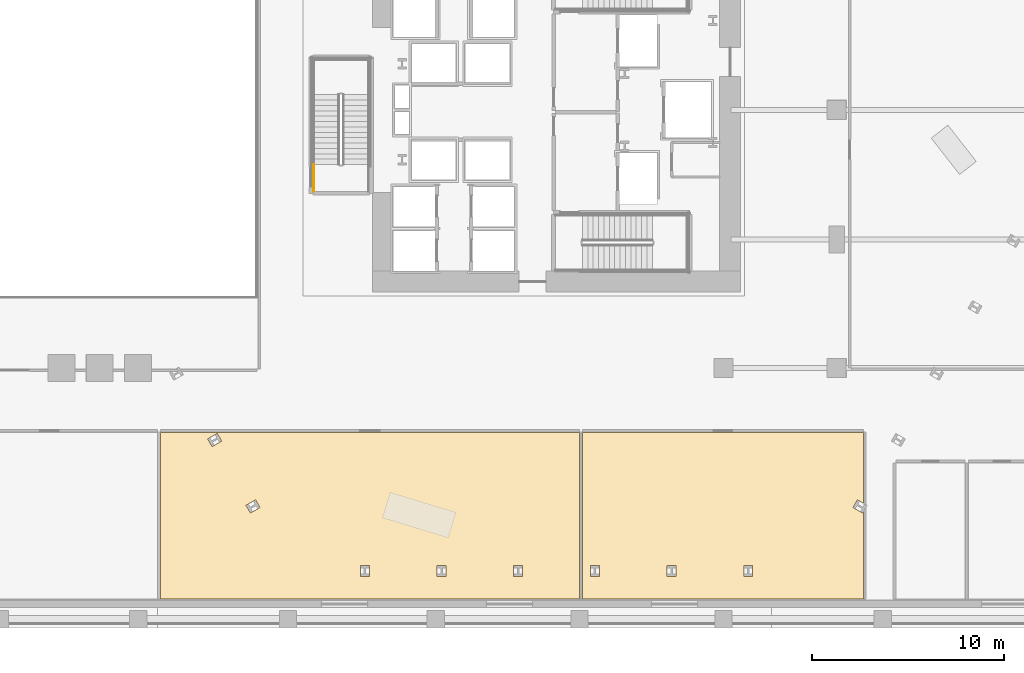
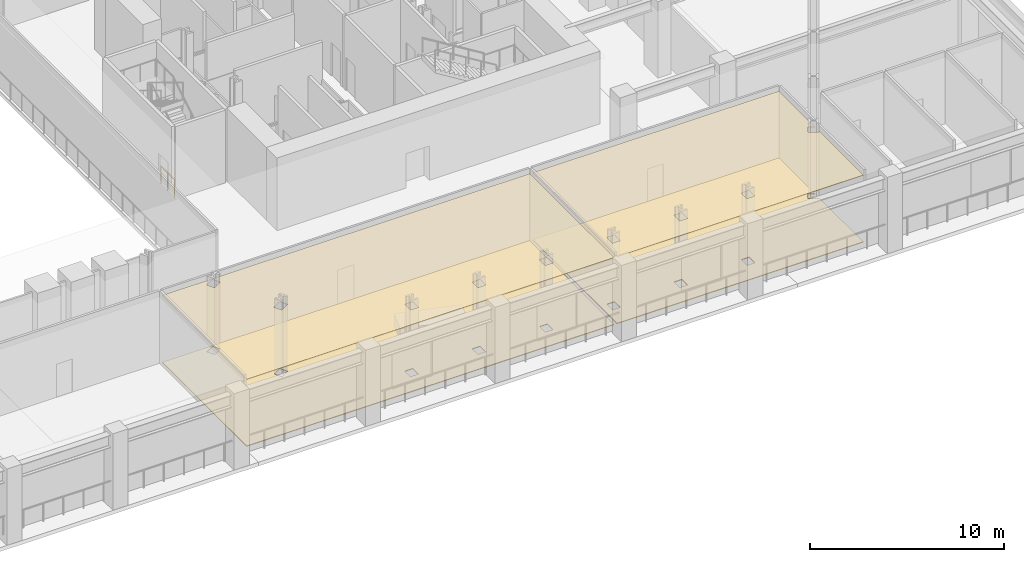
# One storey, part 11 of 19: 4 coverings, 1 railing.
"""IFC4 building model written with IfcOpenShell, lengths in metres."""

from ifc_helpers import new_model, si_unit, direction, frame, origin, origin_2d, place, context, subcontext, project, spatial, polyline, circle, outline, extrude, material, layer, layer_set, type_object, element, save


model = new_model("IFC4")

# Units and contexts
model_context = context("Model", 3, precision=1e-05, world=origin(), true_north=direction((0.0, 1.0)))
body_context = subcontext(model_context, "Body", "Model", "MODEL_VIEW")
ifc_project = project(units=[si_unit("LENGTHUNIT", "METRE"), si_unit("AREAUNIT", "SQUARE_METRE"), si_unit("VOLUMEUNIT", "CUBIC_METRE"), si_unit("PLANEANGLEUNIT", "RADIAN"), si_unit("MASSUNIT", "GRAM", prefix="KILO")], contexts=[model_context])

# Site, building, storey
site_placement = place(None, origin())
site = spatial("IfcSite", under=ifc_project, at=site_placement, CompositionType="ELEMENT")
building_placement = place(site_placement, origin())
building = spatial("IfcBuilding", under=site, at=building_placement, Name="Valkerne Bourse Tower", CompositionType="ELEMENT")
storey_placement = place(building_placement, frame((0.0, 0.0, 5.39990234375)))
storey = spatial("IfcBuildingStorey", under=building, at=storey_placement, Name="L01", CompositionType="ELEMENT", Elevation=5.39990234375)

# Coverings
ifc_material_1 = material(Name="Mineral Fiber Acoustic Ceiling Tile", Category="acoustic")
ifc_layer_1 = layer(ifc_material_1, 0.02490234375)
ifc_layer_set_1 = layer_set([ifc_layer_1], Name="Mineral Fiber Acoustic Ceiling Tile")
covering_type_1 = type_object("IfcCoveringType", Name="COV-CEIL-ACT", PredefinedType="CEILING", material=ifc_layer_set_1)
covering_1_placement = place(storey_placement, frame((0.0, 0.0, 4.210205078125)))
element("IfcCovering", 1, at=covering_1_placement, inside=storey, type_object=covering_type_1, Name="L01 Suspended Ceiling 04", PredefinedType="CEILING", context=body_context, shape_type="SweptSolid", body=[
    extrude(outline(polyline([(26.1640625, 10.196044921875), (47.99609375, 10.196044921875), (47.99609375, 1.50390625), (26.1640625, 1.50390625), (26.1640625, 10.196044921875)]), holes=[polyline([(28.618896484375, 9.84912109375), (28.850341796875, 9.4482421875), (29.35009765625, 9.73681640625), (29.11865234375, 10.137451171875), (28.618896484375, 9.84912109375)]), polyline([(37.04150390625, 3.25634765625), (36.57861328125, 3.25634765625), (36.57861328125, 2.67919921875), (37.04150390625, 2.67919921875), (37.04150390625, 3.25634765625)]), polyline([(45.033203125, 3.25634765625), (44.57080078125, 3.25634765625), (44.57080078125, 2.67919921875), (45.033203125, 2.67919921875), (45.033203125, 3.25634765625)]), polyline([(40.57470703125, 3.25634765625), (40.57470703125, 2.67919921875), (41.037353515625, 2.67919921875), (41.037353515625, 3.25634765625), (40.57470703125, 3.25634765625)]), polyline([(31.11669921875, 6.677001953125), (30.616943359375, 6.388427734375), (30.848388671875, 5.98779296875), (31.347900390625, 6.276123046875), (31.11669921875, 6.677001953125)])]), origin(), (0.0, 0.0, 1.0), 0.02490234375),
])
covering_2_placement = place(storey_placement, frame((0.0, 0.0, 4.210205078125)))
element("IfcCovering", 2, at=covering_2_placement, inside=storey, type_object=covering_type_1, Name="L01 Suspended Ceiling 05", PredefinedType="CEILING", context=body_context, shape_type="SweptSolid", body=[
    extrude(outline(polyline([(48.1640625, 10.196044921875), (62.7958984375, 10.196044921875), (62.7958984375, 6.496337890625), (62.4833984375, 6.677001953125), (62.251953125, 6.276123046875), (62.751708984375, 5.98779296875), (62.7958984375, 6.064453125), (62.7958984375, 1.50390625), (48.1640625, 1.50390625), (48.1640625, 10.196044921875)]), holes=[polyline([(48.566650390625, 3.25634765625), (48.566650390625, 2.67919921875), (49.029296875, 2.67919921875), (49.029296875, 3.25634765625), (48.566650390625, 3.25634765625)]), polyline([(52.5625, 3.25634765625), (52.5625, 2.67919921875), (53.025390625, 2.67919921875), (53.025390625, 3.25634765625), (52.5625, 3.25634765625)]), polyline([(57.021240234375, 3.25634765625), (56.55859375, 3.25634765625), (56.55859375, 2.67919921875), (57.021240234375, 2.67919921875), (57.021240234375, 3.25634765625)])]), origin(), (0.0, 0.0, 1.0), 0.02490234375),
])
ifc_material_2 = material(Name="Galvanised Painted Steel", Category="steel")
ifc_layer_2 = layer(ifc_material_2, 0.044921875)
ifc_layer_set_2 = layer_set([ifc_layer_2], Name="Galvanised Painted Steel")
covering_type_2 = type_object("IfcCoveringType", Name="COV-FLR-RAF", PredefinedType="FLOORING", material=ifc_layer_set_2)
covering_3_placement = place(storey_placement, origin())
element("IfcCovering", 3, at=covering_3_placement, inside=storey, type_object=covering_type_2, Name="L01 Floor Finish 04", PredefinedType="FLOORING", context=body_context, shape_type="SweptSolid", body=[
    extrude(outline(polyline([(26.1640625, 10.196044921875), (47.99609375, 10.196044921875), (47.99609375, 1.50390625), (26.1640625, 1.50390625), (26.1640625, 10.196044921875)]), holes=[polyline([(28.618896484375, 9.84912109375), (28.850341796875, 9.4482421875), (29.35009765625, 9.73681640625), (29.11865234375, 10.137451171875), (28.618896484375, 9.84912109375)]), polyline([(37.04150390625, 3.25634765625), (36.57861328125, 3.25634765625), (36.57861328125, 2.67919921875), (37.04150390625, 2.67919921875), (37.04150390625, 3.25634765625)]), polyline([(45.033203125, 3.25634765625), (44.57080078125, 3.25634765625), (44.57080078125, 2.67919921875), (45.033203125, 2.67919921875), (45.033203125, 3.25634765625)]), polyline([(40.57470703125, 3.25634765625), (40.57470703125, 2.67919921875), (41.037353515625, 2.67919921875), (41.037353515625, 3.25634765625), (40.57470703125, 3.25634765625)]), polyline([(31.11669921875, 6.677001953125), (30.616943359375, 6.388427734375), (30.848388671875, 5.98779296875), (31.347900390625, 6.276123046875), (31.11669921875, 6.677001953125)])]), origin(), (0.0, 0.0, 1.0), 0.045166015625),
])
covering_4_placement = place(storey_placement, origin())
element("IfcCovering", 4, at=covering_4_placement, inside=storey, type_object=covering_type_2, Name="L01 Floor Finish 05", PredefinedType="FLOORING", context=body_context, shape_type="SweptSolid", body=[
    extrude(outline(polyline([(48.1640625, 10.196044921875), (62.7958984375, 10.196044921875), (62.7958984375, 6.496337890625), (62.4833984375, 6.677001953125), (62.251953125, 6.276123046875), (62.751708984375, 5.98779296875), (62.7958984375, 6.064453125), (62.7958984375, 1.50390625), (48.1640625, 1.50390625), (48.1640625, 10.196044921875)]), holes=[polyline([(48.566650390625, 3.25634765625), (48.566650390625, 2.67919921875), (49.029296875, 2.67919921875), (49.029296875, 3.25634765625), (48.566650390625, 3.25634765625)]), polyline([(52.5625, 3.25634765625), (52.5625, 2.67919921875), (53.025390625, 2.67919921875), (53.025390625, 3.25634765625), (52.5625, 3.25634765625)]), polyline([(57.021240234375, 3.25634765625), (56.55859375, 3.25634765625), (56.55859375, 2.67919921875), (57.021240234375, 2.67919921875), (57.021240234375, 3.25634765625)])]), origin(), (0.0, 0.0, 1.0), 0.045166015625),
])

# Railing
railing_type = type_object("IfcRailingType", Name="RLG-ST-GUARD-1120", PredefinedType="GUARDRAIL", material=ifc_material_2)
railing_placement = place(storey_placement, frame((34.14990234375, 22.75, 0.0)))
element("IfcRailing", 5, at=railing_placement, inside=storey, type_object=railing_type, Name="L01 ST-3 stair guard 9", PredefinedType="GUARDRAIL", context=body_context, shape_type="SweptSolid", body=[
    extrude(circle(Radius=0.02392578125, at=origin_2d()), frame((0.0, 0.0, 1.09619140625), z_axis=(0.0, 1.0, 0.0), x_axis=(-1.0, 0.0, 0.0)), (0.0, 0.0, 1.0), 1.39990234375),
    extrude(circle(Radius=0.02099609375, at=origin_2d()), origin(), (0.0, 0.0, 1.0), 1.072021484375),
    extrude(circle(Radius=0.02099609375, at=origin_2d()), frame((0.0, 0.699951171875, 0.0)), (0.0, 0.0, 1.0), 1.072021484375),
    extrude(circle(Radius=0.02099609375, at=origin_2d()), frame((0.0, 1.39990234375, 0.0)), (0.0, 0.0, 1.0), 1.072021484375),
])

save(model, "model.ifc")
